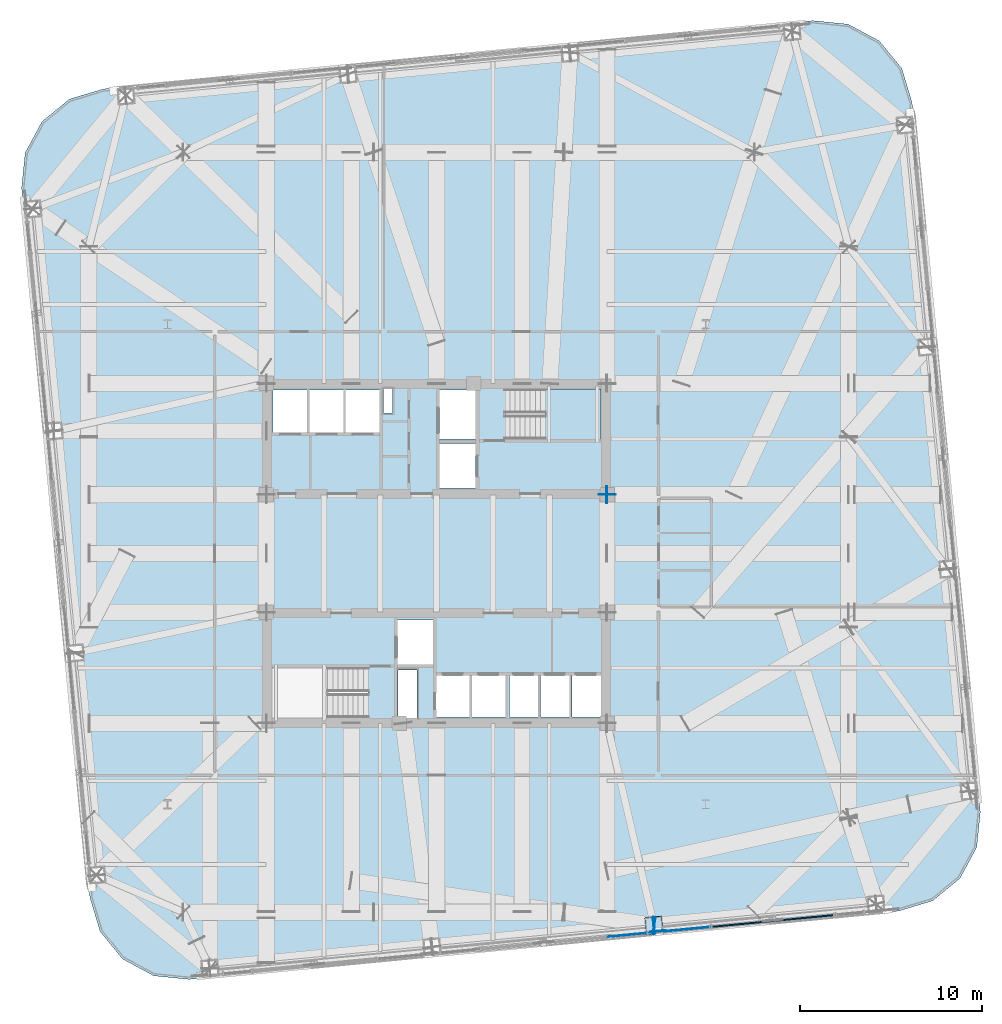
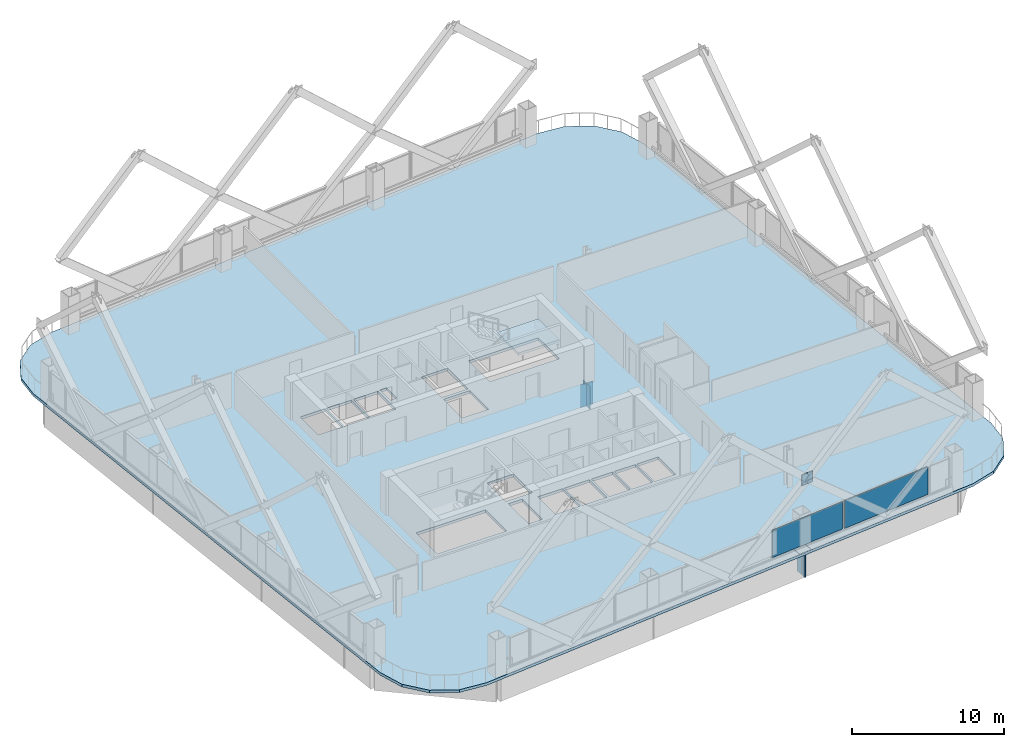
# One storey, part 34 of 42: 9 plates, 2 slabs, 3 elements without a shape of their own.
"""IFC4 building model written with IfcOpenShell, lengths in metres."""

from ifc_helpers import new_model, si_unit, direction, frame, origin, origin_2d, place, context, subcontext, project, spatial, polyline, rectangle, outline, extrude, material, layer, layer_set, type_object, element, aggregate, save


model = new_model("IFC4")

# Units and contexts
model_context = context("Model", 3, precision=1e-05, world=origin(), true_north=direction((0.0, 1.0)))
body_context = subcontext(model_context, "Body", "Model", "MODEL_VIEW")
ifc_project = project(units=[si_unit("LENGTHUNIT", "METRE"), si_unit("AREAUNIT", "SQUARE_METRE"), si_unit("VOLUMEUNIT", "CUBIC_METRE"), si_unit("PLANEANGLEUNIT", "RADIAN"), si_unit("MASSUNIT", "GRAM", prefix="KILO")], contexts=[model_context])

# Site, building, storey
site_placement = place(None, origin())
site = spatial("IfcSite", under=ifc_project, at=site_placement, CompositionType="ELEMENT")
building_placement = place(site_placement, origin())
building = spatial("IfcBuilding", under=site, at=building_placement, Name="Qhalaya Broadcast Tower", CompositionType="ELEMENT")
storey_placement = place(building_placement, frame((0.0, 0.0, 69.449951171875)))
storey = spatial("IfcBuildingStorey", under=building, at=storey_placement, Name="L19", CompositionType="ELEMENT", Elevation=69.449951171875)

# Plates
ifc_material_1 = material(Name="Structural Steel ASTM A572 Grade 50", Category="steel")
ifc_layer_1 = layer(ifc_material_1, 0.054931640625, Name="Structural Steel ASTM A572 Grade 50")
ifc_layer_set_1 = layer_set([ifc_layer_1], Name="Structural Steel ASTM A572 Grade 50")
plate_type_1 = type_object("IfcPlateType", Name="Exoskeleton Diamond Node Gusset Plate NP-01", PredefinedType="USERDEFINED", material=ifc_layer_set_1)
plate_1_placement = place(storey_placement, frame((12.1865234375, -20.180419921875, 5.31494140625), z_axis=(0.0, 0.0, 1.0), x_axis=(0.995396198367, 0.09584575252, 0.0)))
element("IfcPlate", 1, at=plate_1_placement, inside=storey, type_object=plate_type_1, Name="Exoskeleton Diamond Node B2-S3-MDL", ObjectType="GUSSET_PLATE", PredefinedType="USERDEFINED", context=body_context, shape_type="SweptSolid", body=[
    extrude(rectangle(XDim=0.85009765625, YDim=0.054931640625, at=origin_2d()), origin(), (0.0, 0.0, 1.0), 0.85009765625),
])
ifc_layer_2 = layer(ifc_material_1, 0.4599609375, Name="Structural Steel ASTM A572 Grade 50")
ifc_layer_set_2 = layer_set([ifc_layer_2], Name="Structural Steel ASTM A572 Grade 50")
plate_type_2 = type_object("IfcPlateType", Name="Hollow Box Member End Cap Plate CP-01", PredefinedType="USERDEFINED", material=ifc_layer_set_2)
for number, where, z_axis, x_axis, name in (
    (2, (11.970947265625, -19.859619140625, -2.0400390625), (0.0, 0.0, 1.0), (-0.09584575252, 0.995396198367, 0.0), "L19 Hollow Girder End Cap L19-SPR-02-B"),
    (3, (11.939208984375, -19.86279296875, -2.0400390625), (0.0, 0.0, 1.0), (-0.09584575252, 0.995396198367, 0.0), "L19 Hollow Girder End Cap L19-SPR-03-A"),
    (4, (9.375, 3.841064453125, -2.0400390625), (0.0, 0.0, 1.0), (-1.0, 0.0, 0.0), "L19 Hollow Girder End Cap L19-TGIME-1-B"),
    (5, (9.35888671875, 3.824951171875, -2.0400390625), (0.0, 0.0, 1.0), (0.0, 1.0, 0.0), "L19 Hollow Girder End Cap L19-TGIY3E-1-A"),
    (6, (11.970703125, -19.863525390625, -2.0400390625), (0.0, 0.0, 1.0), (0.146083028562, 0.989272332963, 0.0), "L19 Hollow Girder End Cap L19-TGC-03-B"),
):
    element("IfcPlate", number, at=place(storey_placement, frame(where, z_axis=z_axis, x_axis=x_axis)), inside=storey, type_object=plate_type_2, Name=name, ObjectType="COVER_PLATE", PredefinedType="USERDEFINED", context=body_context, shape_type="SweptSolid", body=[
        extrude(rectangle(XDim=0.93994140625, YDim=0.031982421875, at=origin_2d()), origin(), (0.0, 0.0, 1.0), 1.840087890625),
    ])
plate_2_placement = place(storey_placement, frame((11.955078125, -19.861083984375, -0.03173828125), z_axis=(0.0, 0.0, 1.0), x_axis=(0.995396198367, 0.09584575252, 0.0)))
element("IfcPlate", 7, at=plate_2_placement, inside=storey, type_object=plate_type_2, Name="L19 Hollow Box Column Base Cap Plate COL-EX03", ObjectType="COVER_PLATE", PredefinedType="USERDEFINED", context=body_context, shape_type="SweptSolid", body=[
    extrude(rectangle(XDim=0.93994140625, YDim=0.93994140625, at=origin_2d()), origin(), (0.0, 0.0, 1.0), 0.031982421875),
])

# Curtain wall, plate
ifc_material_2 = material(Name="Fired Architectural Terracotta", Category="masonry")
ifc_layer_3 = layer(ifc_material_2, 0.219970703125, Name="Fired Architectural Terracotta")
ifc_layer_set_3 = layer_set([ifc_layer_3], Name="Fired Architectural Terracotta")
curtain_wall_type_1 = type_object("IfcCurtainWallType", Name="Block-Cap Unitised Terracotta Spandrel Wall CW-07", PredefinedType="NOTDEFINED", material=ifc_layer_set_3)
curtain_wall_1_placement = place(storey_placement, origin())
curtain_wall_1 = element("IfcCurtainWall", 8, at=curtain_wall_1_placement, inside=storey, type_object=curtain_wall_type_1, Name="L19 Unitised Curtain Wall L19-CW-S6", PredefinedType="NOTDEFINED")
ifc_layer_4 = layer(ifc_material_2, 0.080078125, Name="Fired Architectural Terracotta")
ifc_layer_set_4 = layer_set([ifc_layer_4], Name="Fired Architectural Terracotta")
plate_type_3 = type_object("IfcPlateType", Name="Insulated Terracotta Spandrel Panel TSP-07", PredefinedType="CURTAIN_PANEL", material=ifc_layer_set_4)
plate_3_placement = place(storey_placement, frame((18.494384765625, -19.61328125, 0.55517578125), z_axis=(0.0, 0.0, 1.0), x_axis=(0.995395819861, 0.095849683373, 0.0)))
plate_3 = element("IfcPlate", 9, at=plate_3_placement, type_object=plate_type_3, Name="CW-07 panel 1.1", PredefinedType="CURTAIN_PANEL", context=body_context, shape_type="SweptSolid", body=[
    extrude(rectangle(XDim=6.693115234375, YDim=0.080078125, at=origin_2d()), origin(), (0.0, 0.0, 1.0), 2.199951171875),
])
aggregate(curtain_wall_1, [plate_3])

ifc_material_3 = material(Name="Solar-Control Low-E Triple Glazing", Category="glass")
ifc_layer_5 = layer(ifc_material_3, 0.219970703125, Name="Solar-Control Low-E Triple Glazing")
ifc_layer_set_5 = layer_set([ifc_layer_5], Name="Solar-Control Low-E Triple Glazing")
curtain_wall_type_2 = type_object("IfcCurtainWallType", Name="Even-Block 4-Storey Double-Module Curtain Wall CW-03", PredefinedType="NOTDEFINED", material=ifc_layer_set_5)
curtain_wall_2_placement = place(storey_placement, origin())
curtain_wall_2 = element("IfcCurtainWall", 10, at=curtain_wall_2_placement, inside=storey, type_object=curtain_wall_type_2, Name="L19 Unitised Curtain Wall L19-CW-S5", PredefinedType="NOTDEFINED")
ifc_layer_6 = layer(ifc_material_3, 0.035888671875, Name="Solar-Control Low-E Triple Glazing")
ifc_layer_set_6 = layer_set([ifc_layer_6], Name="Solar-Control Low-E Triple Glazing")
plate_type_4 = type_object("IfcPlateType", Name="Solar-Control Curtain Glazing Panel GLP-03", PredefinedType="CURTAIN_PANEL", material=ifc_layer_set_6)
plate_4_placement = place(storey_placement, frame((12.190673828125, -20.22021484375, 0.55517578125), z_axis=(0.0, 0.0, 1.0), x_axis=(0.995396371729, 0.095843952075, 0.0)))
plate_4 = element("IfcPlate", 11, at=plate_4_placement, type_object=plate_type_4, Name="CW-03 panel 1.1", PredefinedType="CURTAIN_PANEL", context=body_context, shape_type="SweptSolid", body=[
    extrude(rectangle(XDim=5.673095703125, YDim=0.035888671875, at=origin_2d()), origin(), (0.0, 0.0, 1.0), 2.199951171875),
])
aggregate(curtain_wall_2, [plate_4])

# Stair, slab
ifc_material_4 = material(Name="Concrete C40/50", Category="concrete")
stair_type = type_object("IfcStairType", Name="Protected Dogleg Core Stair 3150", PredefinedType="TWO_STRAIGHT_RUN_STAIR", material=ifc_material_4)
stair_placement = place(storey_placement, origin())
stair = element("IfcStair", 12, at=stair_placement, inside=storey, type_object=stair_type, Name="L19 North Core Exit Stair ST-1", PredefinedType="TWO_STRAIGHT_RUN_STAIR")
ifc_layer_7 = layer(ifc_material_4, 0.199951171875, Name="Concrete C40/50")
ifc_layer_set_7 = layer_set([ifc_layer_7], Name="Concrete C40/50")
slab_type_1 = type_object("IfcSlabType", Name="Stair & Ramp Half-Landing Slab 200", PredefinedType="LANDING", material=ifc_layer_set_7)
slab_1_placement = place(storey_placement, frame((0.0, 0.0, 1.324951171875)))
slab_1 = element("IfcSlab", 13, at=slab_1_placement, type_object=slab_type_1, Name="ST-1 landing 1", PredefinedType="LANDING", context=body_context, shape_type="SweptSolid", body=[
    extrude(outline(polyline([(5.955078125, 6.8798828125), (9.050048828125, 6.8798828125), (9.050048828125, 9.639892578125), (5.955078125, 9.639892578125), (5.955078125, 6.8798828125)])), origin(), (0.0, 0.0, 1.0), 0.2001953125),
])
aggregate(stair, [slab_1])

# Slab
ifc_layer_8 = layer(ifc_material_4, 0.219970703125, Name="Concrete C40/50")
ifc_layer_set_8 = layer_set([ifc_layer_8], Name="Concrete C40/50")
slab_type_2 = type_object("IfcSlabType", Name="Tower Composite Floor Slab 220", PredefinedType="FLOOR", material=ifc_layer_set_8)
slab_2_placement = place(storey_placement, frame((0.0, 0.0, -0.219970703125)))
element("IfcSlab", 14, at=slab_2_placement, inside=storey, type_object=slab_type_2, Name="L19 Main Structural Floor Slab", PredefinedType="FLOOR", context=body_context, shape_type="SweptSolid", body=[
    extrude(outline(polyline([(25.40771484375, -19.068115234375), (27.275634765625, -18.505859375), (28.78662109375, -17.271484375), (29.7099609375, -15.552978515625), (29.9052734375, -13.612060546875), (26.148193359375, 25.40771484375), (25.5859375, 27.275634765625), (24.3515625, 28.78662109375), (22.633056640625, 29.7099609375), (20.69189453125, 29.9052734375), (-18.32763671875, 26.148193359375), (-20.19580078125, 25.5859375), (-21.70654296875, 24.3515625), (-22.6298828125, 22.633056640625), (-22.8251953125, 20.69189453125), (-19.068115234375, -18.32763671875), (-18.505859375, -20.19580078125), (-17.271484375, -21.70654296875), (-15.552978515625, -22.6298828125), (-13.612060546875, -22.8251953125), (25.40771484375, -19.068115234375)]), holes=[polyline([(3.784912109375, 9.639892578125), (9.050048828125, 9.639892578125), (9.050048828125, 6.8798828125), (3.784912109375, 6.8798828125), (3.784912109375, 9.639892578125)]), polyline([(-3.784912109375, -8.43994140625), (-9.050048828125, -8.43994140625), (-9.050048828125, -5.679931640625), (-3.784912109375, -5.679931640625), (-3.784912109375, -8.43994140625)]), polyline([(0.14990234375, 6.64990234375), (2.14990234375, 6.64990234375), (2.14990234375, 4.199951171875), (0.14990234375, 4.199951171875), (0.14990234375, 6.64990234375)]), polyline([(0.14990234375, 9.60009765625), (2.14990234375, 9.60009765625), (2.14990234375, 6.89990234375), (0.14990234375, 6.89990234375), (0.14990234375, 9.60009765625)]), polyline([(-2.14990234375, -3.050048828125), (-0.14990234375, -3.050048828125), (-0.14990234375, -5.5), (-2.14990234375, -5.5), (-2.14990234375, -3.050048828125)]), polyline([(-9.0, 9.60009765625), (-7.1201171875, 9.60009765625), (-7.1201171875, 7.25), (-9.0, 7.25), (-9.0, 9.60009765625)]), polyline([(-7.0, 9.60009765625), (-5.1201171875, 9.60009765625), (-5.1201171875, 7.25), (-7.0, 7.25), (-7.0, 9.60009765625)]), polyline([(-5.0, 9.60009765625), (-3.1201171875, 9.60009765625), (-3.1201171875, 7.25), (-5.0, 7.25), (-5.0, 9.60009765625)]), polyline([(-0.050048828125, -6.10009765625), (1.830078125, -6.10009765625), (1.830078125, -8.39990234375), (-0.050048828125, -8.39990234375), (-0.050048828125, -6.10009765625)]), polyline([(1.949951171875, -6.10009765625), (3.830078125, -6.10009765625), (3.830078125, -8.39990234375), (1.949951171875, -8.39990234375), (1.949951171875, -6.10009765625)]), polyline([(4.0, -6.10009765625), (5.60009765625, -6.10009765625), (5.60009765625, -8.39990234375), (4.0, -8.39990234375), (4.0, -6.10009765625)]), polyline([(5.719970703125, -6.10009765625), (7.320068359375, -6.10009765625), (7.320068359375, -8.39990234375), (5.719970703125, -8.39990234375), (5.719970703125, -6.10009765625)]), polyline([(7.43994140625, -6.10009765625), (9.0400390625, -6.10009765625), (9.0400390625, -8.39990234375), (7.43994140625, -8.39990234375), (7.43994140625, -6.10009765625)]), polyline([(-2.919921875, 9.659912109375), (-2.419921875, 9.659912109375), (-2.419921875, 8.320068359375), (-2.919921875, 8.320068359375), (-2.919921875, 9.659912109375)]), polyline([(-2.1201171875, -5.820068359375), (-1.080078125, -5.820068359375), (-1.080078125, -8.4599609375), (-2.1201171875, -8.4599609375), (-2.1201171875, -5.820068359375)])]), origin(), (0.0, 0.0, 1.0), 0.219970703125),
])

save(model, "model.ifc")
